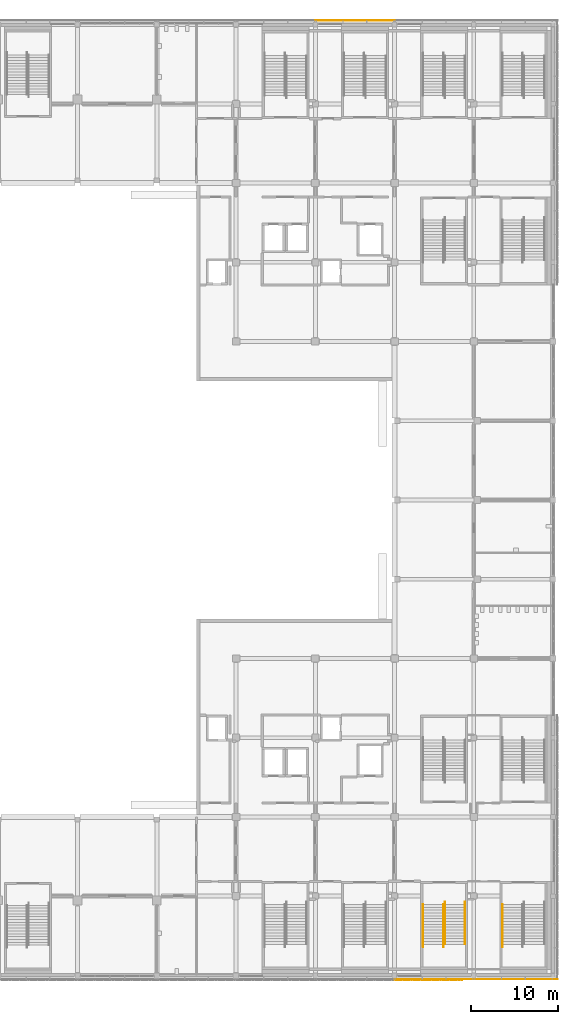
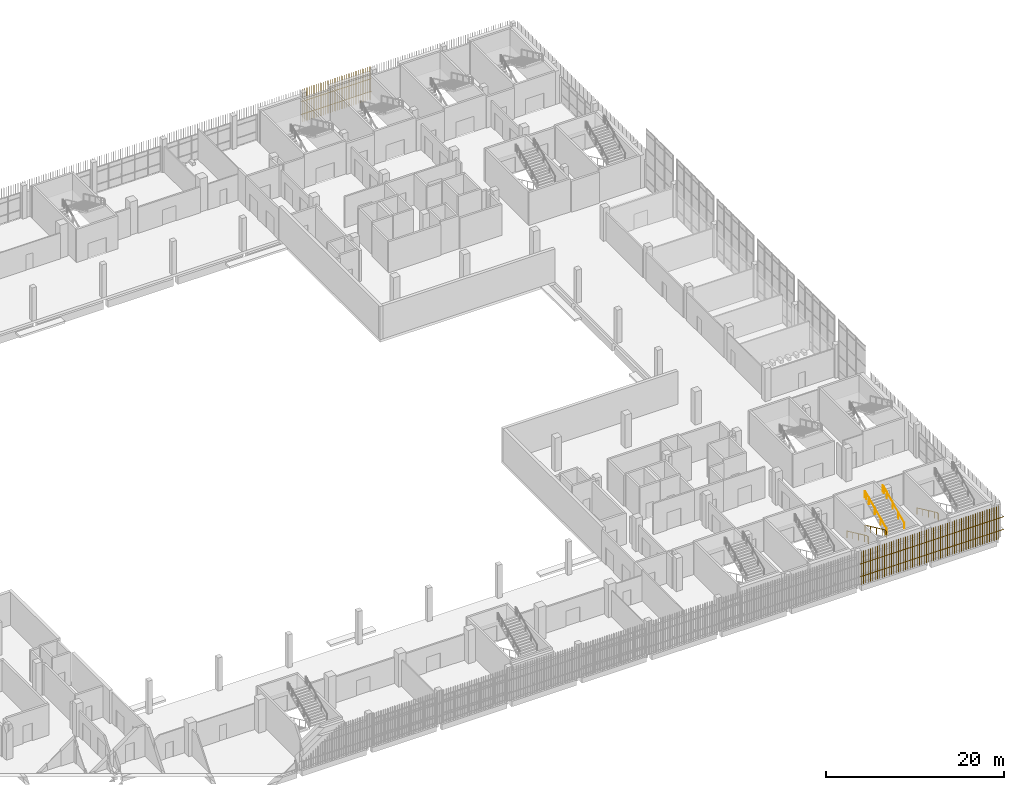
# One storey, part 120 of 126: 5 railings, 3 shading devices.
"""IFC4 building model written with IfcOpenShell, lengths in metres."""

from ifc_helpers import new_model, si_unit, direction, frame, origin, origin_2d, place, context, subcontext, project, spatial, rectangle, circle, extrude, material, type_object, element, save


model = new_model("IFC4")

# Units and contexts
model_context = context("Model", 3, precision=1e-05, world=origin(), true_north=direction((0.0, 1.0)))
body_context = subcontext(model_context, "Body", "Model", "MODEL_VIEW")
ifc_project = project(units=[si_unit("LENGTHUNIT", "METRE"), si_unit("AREAUNIT", "SQUARE_METRE"), si_unit("VOLUMEUNIT", "CUBIC_METRE"), si_unit("PLANEANGLEUNIT", "RADIAN"), si_unit("MASSUNIT", "GRAM", prefix="KILO")], contexts=[model_context])

# Site, building, storey
site_placement = place(None, origin())
site = spatial("IfcSite", under=ifc_project, at=site_placement, CompositionType="ELEMENT")
building_placement = place(site_placement, origin())
building = spatial("IfcBuilding", under=site, at=building_placement, Name="Shirokan Park Arena", CompositionType="ELEMENT")
storey_placement = place(building_placement, frame((0.0, 0.0, 6.3701171875)))
storey = spatial("IfcBuildingStorey", under=building, at=storey_placement, Name="L01", CompositionType="ELEMENT", Elevation=6.3701171875)

# Railings
ifc_material_1 = material(Name="Stainless steel", Category="steel")
railing_type = type_object("IfcRailingType", Name="Stair handrail 900", PredefinedType="HANDRAIL", material=ifc_material_1)
railing_1_placement = place(storey_placement, frame((139.7900390625, 8.14990234375, 0.151611328125)))
element("IfcRailing", 1, at=railing_1_placement, inside=storey, type_object=railing_type, Name="Handrail Exit Stair 2.A L01 to L02", PredefinedType="HANDRAIL", context=body_context, shape_type="SweptSolid", body=[
    extrude(circle(Radius=0.02392578125, at=origin_2d()), frame((0.0, 0.0, 0.8759765625), z_axis=(0.0, -0.906999720516, 0.421131222998), x_axis=(1.0, 0.0, 0.0)), (0.0, 0.0, 1.0), 1.440673828125),
    extrude(circle(Radius=0.02392578125, at=origin_2d()), frame((0.0, -1.306640625, 1.482421875), z_axis=(0.0, -0.907029769225, 0.421066500378), x_axis=(1.0, 0.0, 0.0)), (0.0, 0.0, 1.0), 1.44091796875),
    extrude(circle(Radius=0.02392578125, at=origin_2d()), frame((0.0, -2.613525390625, 2.08935546875), z_axis=(0.0, -0.907094476872, 0.420927083981), x_axis=(1.0, 0.0, 0.0)), (0.0, 0.0, 1.0), 1.440673828125),
    extrude(circle(Radius=0.02392578125, at=origin_2d()), frame((0.0, -3.92041015625, 2.69580078125), z_axis=(0.0, -0.906934982928, 0.421270621741), x_axis=(1.0, 0.0, 0.0)), (0.0, 0.0, 1.0), 0.720458984375),
    extrude(circle(Radius=0.02392578125, at=origin_2d()), frame((0.0, -4.57373046875, 2.9990234375), z_axis=(0.0, -1.0, 0.0), x_axis=(1.0, 0.0, 0.0)), (0.0, 0.0, 1.0), 0.300048828125),
    extrude(circle(Radius=0.02099609375, at=origin_2d()), origin(), (0.0, 0.0, 1.0), 0.851806640625),
    extrude(circle(Radius=0.02099609375, at=origin_2d()), frame((0.0, -1.306640625, 0.606689453125)), (0.0, 0.0, 1.0), 0.851806640625),
    extrude(circle(Radius=0.02099609375, at=origin_2d()), frame((0.0, -2.613525390625, 1.21337890625)), (0.0, 0.0, 1.0), 0.851806640625),
    extrude(circle(Radius=0.02099609375, at=origin_2d()), frame((0.0, -3.92041015625, 1.81982421875)), (0.0, 0.0, 1.0), 0.851806640625),
    extrude(circle(Radius=0.02099609375, at=origin_2d()), frame((0.0, -4.57373046875, 2.123291015625)), (0.0, 0.0, 1.0), 0.851806640625),
    extrude(circle(Radius=0.02099609375, at=origin_2d()), frame((0.0, -4.873779296875, 2.123291015625)), (0.0, 0.0, 1.0), 0.851806640625),
])
railing_2_placement = place(storey_placement, frame((130.68994140625, 8.14990234375, 0.151611328125)))
element("IfcRailing", 2, at=railing_2_placement, inside=storey, type_object=railing_type, Name="Handrail Exit Stair 2.B L01 to L02", PredefinedType="HANDRAIL", context=body_context, shape_type="SweptSolid", body=[
    extrude(circle(Radius=0.02392578125, at=origin_2d()), frame((0.0, 0.0, 0.8759765625), z_axis=(0.0, -0.906999720516, 0.421131222998), x_axis=(1.0, 0.0, 0.0)), (0.0, 0.0, 1.0), 1.440673828125),
    extrude(circle(Radius=0.02392578125, at=origin_2d()), frame((0.0, -1.306640625, 1.482421875), z_axis=(0.0, -0.907029769225, 0.421066500378), x_axis=(1.0, 0.0, 0.0)), (0.0, 0.0, 1.0), 1.44091796875),
    extrude(circle(Radius=0.02392578125, at=origin_2d()), frame((0.0, -2.613525390625, 2.08935546875), z_axis=(0.0, -0.907094476872, 0.420927083981), x_axis=(1.0, 0.0, 0.0)), (0.0, 0.0, 1.0), 1.440673828125),
    extrude(circle(Radius=0.02392578125, at=origin_2d()), frame((0.0, -3.92041015625, 2.69580078125), z_axis=(0.0, -0.906934982928, 0.421270621741), x_axis=(1.0, 0.0, 0.0)), (0.0, 0.0, 1.0), 0.720458984375),
    extrude(circle(Radius=0.02392578125, at=origin_2d()), frame((0.0, -4.57373046875, 2.9990234375), z_axis=(0.0, -1.0, 0.0), x_axis=(1.0, 0.0, 0.0)), (0.0, 0.0, 1.0), 0.300048828125),
    extrude(circle(Radius=0.02099609375, at=origin_2d()), origin(), (0.0, 0.0, 1.0), 0.851806640625),
    extrude(circle(Radius=0.02099609375, at=origin_2d()), frame((0.0, -1.306640625, 0.606689453125)), (0.0, 0.0, 1.0), 0.851806640625),
    extrude(circle(Radius=0.02099609375, at=origin_2d()), frame((0.0, -2.613525390625, 1.21337890625)), (0.0, 0.0, 1.0), 0.851806640625),
    extrude(circle(Radius=0.02099609375, at=origin_2d()), frame((0.0, -3.92041015625, 1.81982421875)), (0.0, 0.0, 1.0), 0.851806640625),
    extrude(circle(Radius=0.02099609375, at=origin_2d()), frame((0.0, -4.57373046875, 2.123291015625)), (0.0, 0.0, 1.0), 0.851806640625),
    extrude(circle(Radius=0.02099609375, at=origin_2d()), frame((0.0, -4.873779296875, 2.123291015625)), (0.0, 0.0, 1.0), 0.851806640625),
])
railing_3_placement = place(storey_placement, frame((133.010009765625, 8.14990234375, 0.151611328125)))
element("IfcRailing", 3, at=railing_3_placement, inside=storey, type_object=railing_type, Name="Handrail Exit Stair 2.B L01 to L02", PredefinedType="HANDRAIL", context=body_context, shape_type="SweptSolid", body=[
    extrude(circle(Radius=0.02392578125, at=origin_2d()), frame((0.0, 0.0, 0.8759765625), z_axis=(0.0, -0.906999720516, 0.421131222998), x_axis=(1.0, 0.0, 0.0)), (0.0, 0.0, 1.0), 1.440673828125),
    extrude(circle(Radius=0.02392578125, at=origin_2d()), frame((0.0, -1.306640625, 1.482421875), z_axis=(0.0, -0.907029769225, 0.421066500378), x_axis=(1.0, 0.0, 0.0)), (0.0, 0.0, 1.0), 1.44091796875),
    extrude(circle(Radius=0.02392578125, at=origin_2d()), frame((0.0, -2.613525390625, 2.08935546875), z_axis=(0.0, -0.907094476872, 0.420927083981), x_axis=(1.0, 0.0, 0.0)), (0.0, 0.0, 1.0), 1.440673828125),
    extrude(circle(Radius=0.02392578125, at=origin_2d()), frame((0.0, -3.92041015625, 2.69580078125), z_axis=(0.0, -0.906934982928, 0.421270621741), x_axis=(1.0, 0.0, 0.0)), (0.0, 0.0, 1.0), 0.720458984375),
    extrude(circle(Radius=0.02392578125, at=origin_2d()), frame((0.0, -4.57373046875, 2.9990234375), z_axis=(0.0, -1.0, 0.0), x_axis=(1.0, 0.0, 0.0)), (0.0, 0.0, 1.0), 0.300048828125),
    extrude(circle(Radius=0.02099609375, at=origin_2d()), origin(), (0.0, 0.0, 1.0), 0.851806640625),
    extrude(circle(Radius=0.02099609375, at=origin_2d()), frame((0.0, -1.306640625, 0.606689453125)), (0.0, 0.0, 1.0), 0.851806640625),
    extrude(circle(Radius=0.02099609375, at=origin_2d()), frame((0.0, -2.613525390625, 1.21337890625)), (0.0, 0.0, 1.0), 0.851806640625),
    extrude(circle(Radius=0.02099609375, at=origin_2d()), frame((0.0, -3.92041015625, 1.81982421875)), (0.0, 0.0, 1.0), 0.851806640625),
    extrude(circle(Radius=0.02099609375, at=origin_2d()), frame((0.0, -4.57373046875, 2.123291015625)), (0.0, 0.0, 1.0), 0.851806640625),
    extrude(circle(Radius=0.02099609375, at=origin_2d()), frame((0.0, -4.873779296875, 2.123291015625)), (0.0, 0.0, 1.0), 0.851806640625),
])
railing_4_placement = place(storey_placement, frame((133.18994140625, 3.576171875, 2.426513671875)))
element("IfcRailing", 4, at=railing_4_placement, inside=storey, type_object=railing_type, Name="Handrail Exit Stair 2.B L01 to L02", PredefinedType="HANDRAIL", context=body_context, shape_type="SweptSolid", body=[
    extrude(circle(Radius=0.02392578125, at=origin_2d()), frame((0.0, 0.0, 0.8759765625), z_axis=(0.0, 0.907029769225, 0.421066500378), x_axis=(-1.0, 0.0, 0.0)), (0.0, 0.0, 1.0), 1.44091796875),
    extrude(circle(Radius=0.02392578125, at=origin_2d()), frame((0.0, 1.306884765625, 1.482421875), z_axis=(0.0, 0.906999720516, 0.421131222998), x_axis=(-1.0, 0.0, 0.0)), (0.0, 0.0, 1.0), 1.440673828125),
    extrude(circle(Radius=0.02392578125, at=origin_2d()), frame((0.0, 2.613525390625, 2.08935546875), z_axis=(0.0, 0.907029769225, 0.421066500378), x_axis=(-1.0, 0.0, 0.0)), (0.0, 0.0, 1.0), 1.44091796875),
    extrude(circle(Radius=0.02392578125, at=origin_2d()), frame((0.0, 3.92041015625, 2.69580078125), z_axis=(0.0, 0.907064445915, 0.420991794405), x_axis=(-1.0, 0.0, 0.0)), (0.0, 0.0, 1.0), 0.72021484375),
    extrude(circle(Radius=0.02392578125, at=origin_2d()), frame((0.0, 4.57373046875, 2.9990234375), z_axis=(0.0, 1.0, 0.0), x_axis=(-1.0, 0.0, 0.0)), (0.0, 0.0, 1.0), 0.300048828125),
    extrude(circle(Radius=0.02099609375, at=origin_2d()), origin(), (0.0, 0.0, 1.0), 0.851806640625),
    extrude(circle(Radius=0.02099609375, at=origin_2d()), frame((0.0, 1.306884765625, 0.606689453125)), (0.0, 0.0, 1.0), 0.851806640625),
    extrude(circle(Radius=0.02099609375, at=origin_2d()), frame((0.0, 2.613525390625, 1.21337890625)), (0.0, 0.0, 1.0), 0.851806640625),
    extrude(circle(Radius=0.02099609375, at=origin_2d()), frame((0.0, 3.92041015625, 1.820068359375)), (0.0, 0.0, 1.0), 0.851806640625),
    extrude(circle(Radius=0.02099609375, at=origin_2d()), frame((0.0, 4.57373046875, 2.123291015625)), (0.0, 0.0, 1.0), 0.851806640625),
    extrude(circle(Radius=0.02099609375, at=origin_2d()), frame((0.0, 4.873779296875, 2.123291015625)), (0.0, 0.0, 1.0), 0.851806640625),
])
railing_5_placement = place(storey_placement, frame((135.510009765625, 3.576171875, 2.426513671875)))
element("IfcRailing", 5, at=railing_5_placement, inside=storey, type_object=railing_type, Name="Handrail Exit Stair 2.B L01 to L02", PredefinedType="HANDRAIL", context=body_context, shape_type="SweptSolid", body=[
    extrude(circle(Radius=0.02392578125, at=origin_2d()), frame((0.0, 0.0, 0.8759765625), z_axis=(0.0, 0.907029769225, 0.421066500378), x_axis=(-1.0, 0.0, 0.0)), (0.0, 0.0, 1.0), 1.44091796875),
    extrude(circle(Radius=0.02392578125, at=origin_2d()), frame((0.0, 1.306884765625, 1.482421875), z_axis=(0.0, 0.906999720516, 0.421131222998), x_axis=(-1.0, 0.0, 0.0)), (0.0, 0.0, 1.0), 1.440673828125),
    extrude(circle(Radius=0.02392578125, at=origin_2d()), frame((0.0, 2.613525390625, 2.08935546875), z_axis=(0.0, 0.907029769225, 0.421066500378), x_axis=(-1.0, 0.0, 0.0)), (0.0, 0.0, 1.0), 1.44091796875),
    extrude(circle(Radius=0.02392578125, at=origin_2d()), frame((0.0, 3.92041015625, 2.69580078125), z_axis=(0.0, 0.907064445915, 0.420991794405), x_axis=(-1.0, 0.0, 0.0)), (0.0, 0.0, 1.0), 0.72021484375),
    extrude(circle(Radius=0.02392578125, at=origin_2d()), frame((0.0, 4.57373046875, 2.9990234375), z_axis=(0.0, 1.0, 0.0), x_axis=(-1.0, 0.0, 0.0)), (0.0, 0.0, 1.0), 0.300048828125),
    extrude(circle(Radius=0.02099609375, at=origin_2d()), origin(), (0.0, 0.0, 1.0), 0.851806640625),
    extrude(circle(Radius=0.02099609375, at=origin_2d()), frame((0.0, 1.306884765625, 0.606689453125)), (0.0, 0.0, 1.0), 0.851806640625),
    extrude(circle(Radius=0.02099609375, at=origin_2d()), frame((0.0, 2.613525390625, 1.21337890625)), (0.0, 0.0, 1.0), 0.851806640625),
    extrude(circle(Radius=0.02099609375, at=origin_2d()), frame((0.0, 3.92041015625, 1.820068359375)), (0.0, 0.0, 1.0), 0.851806640625),
    extrude(circle(Radius=0.02099609375, at=origin_2d()), frame((0.0, 4.57373046875, 2.123291015625)), (0.0, 0.0, 1.0), 0.851806640625),
    extrude(circle(Radius=0.02099609375, at=origin_2d()), frame((0.0, 4.873779296875, 2.123291015625)), (0.0, 0.0, 1.0), 0.851806640625),
])

# Shading devices
ifc_material_2 = material(Name="Timber louvre veil (cedar)", Category="wood")
shading_device_type = type_object("IfcShadingDeviceType", Name="Timber louvre veil panel", PredefinedType="JALOUSIE", material=ifc_material_2)
shading_device_1_placement = place(storey_placement, origin())
element("IfcShadingDevice", 6, at=shading_device_1_placement, inside=storey, type_object=shading_device_type, Name="Timber louvre veil south bay 15 L01", PredefinedType="JALOUSIE", context=body_context, shape_type="SweptSolid", body=[
    extrude(rectangle(XDim=0.050048828125, YDim=0.080078125, at=origin_2d()), frame((127.5517578125, -0.485107421875, 0.0), z_axis=(0.0, 0.0, 1.0), x_axis=(1.0, 0.0, 0.0)), (0.0, 0.0, 1.0), 4.550048828125),
    extrude(rectangle(XDim=0.050048828125, YDim=0.080078125, at=origin_2d()), frame((127.85498046875, -0.485107421875, 0.0), z_axis=(0.0, 0.0, 1.0), x_axis=(1.0, 0.0, 0.0)), (0.0, 0.0, 1.0), 4.550048828125),
    extrude(rectangle(XDim=0.050048828125, YDim=0.080078125, at=origin_2d()), frame((128.158447265625, -0.485107421875, 0.0), z_axis=(0.0, 0.0, 1.0), x_axis=(1.0, 0.0, 0.0)), (0.0, 0.0, 1.0), 4.550048828125),
    extrude(rectangle(XDim=0.050048828125, YDim=0.080078125, at=origin_2d()), frame((128.461669921875, -0.485107421875, 0.0), z_axis=(0.0, 0.0, 1.0), x_axis=(1.0, 0.0, 0.0)), (0.0, 0.0, 1.0), 4.550048828125),
    extrude(rectangle(XDim=0.050048828125, YDim=0.080078125, at=origin_2d()), frame((128.764892578125, -0.485107421875, 0.0), z_axis=(0.0, 0.0, 1.0), x_axis=(1.0, 0.0, 0.0)), (0.0, 0.0, 1.0), 4.550048828125),
    extrude(rectangle(XDim=0.050048828125, YDim=0.080078125, at=origin_2d()), frame((129.068359375, -0.485107421875, 0.0), z_axis=(0.0, 0.0, 1.0), x_axis=(1.0, 0.0, 0.0)), (0.0, 0.0, 1.0), 4.550048828125),
    extrude(rectangle(XDim=0.050048828125, YDim=0.080078125, at=origin_2d()), frame((129.37158203125, -0.485107421875, 0.0), z_axis=(0.0, 0.0, 1.0), x_axis=(1.0, 0.0, 0.0)), (0.0, 0.0, 1.0), 4.550048828125),
    extrude(rectangle(XDim=0.050048828125, YDim=0.080078125, at=origin_2d()), frame((129.675048828125, -0.485107421875, 0.0), z_axis=(0.0, 0.0, 1.0), x_axis=(1.0, 0.0, 0.0)), (0.0, 0.0, 1.0), 4.550048828125),
    extrude(rectangle(XDim=0.050048828125, YDim=0.080078125, at=origin_2d()), frame((129.978271484375, -0.485107421875, 0.0), z_axis=(0.0, 0.0, 1.0), x_axis=(1.0, 0.0, 0.0)), (0.0, 0.0, 1.0), 4.550048828125),
    extrude(rectangle(XDim=0.050048828125, YDim=0.080078125, at=origin_2d()), frame((130.28173828125, -0.485107421875, 0.0), z_axis=(0.0, 0.0, 1.0), x_axis=(1.0, 0.0, 0.0)), (0.0, 0.0, 1.0), 4.550048828125),
    extrude(rectangle(XDim=0.050048828125, YDim=0.080078125, at=origin_2d()), frame((130.5849609375, -0.485107421875, 0.0), z_axis=(0.0, 0.0, 1.0), x_axis=(1.0, 0.0, 0.0)), (0.0, 0.0, 1.0), 4.550048828125),
    extrude(rectangle(XDim=0.050048828125, YDim=0.080078125, at=origin_2d()), frame((130.888427734375, -0.485107421875, 0.0), z_axis=(0.0, 0.0, 1.0), x_axis=(1.0, 0.0, 0.0)), (0.0, 0.0, 1.0), 4.550048828125),
    extrude(rectangle(XDim=0.050048828125, YDim=0.080078125, at=origin_2d()), frame((131.191650390625, -0.485107421875, 0.0), z_axis=(0.0, 0.0, 1.0), x_axis=(1.0, 0.0, 0.0)), (0.0, 0.0, 1.0), 4.550048828125),
    extrude(rectangle(XDim=0.050048828125, YDim=0.080078125, at=origin_2d()), frame((131.4951171875, -0.485107421875, 0.0), z_axis=(0.0, 0.0, 1.0), x_axis=(1.0, 0.0, 0.0)), (0.0, 0.0, 1.0), 4.550048828125),
    extrude(rectangle(XDim=0.050048828125, YDim=0.080078125, at=origin_2d()), frame((131.79833984375, -0.485107421875, 0.0), z_axis=(0.0, 0.0, 1.0), x_axis=(1.0, 0.0, 0.0)), (0.0, 0.0, 1.0), 4.550048828125),
    extrude(rectangle(XDim=0.050048828125, YDim=0.080078125, at=origin_2d()), frame((132.1015625, -0.485107421875, 0.0), z_axis=(0.0, 0.0, 1.0), x_axis=(1.0, 0.0, 0.0)), (0.0, 0.0, 1.0), 4.550048828125),
    extrude(rectangle(XDim=0.050048828125, YDim=0.080078125, at=origin_2d()), frame((132.405029296875, -0.485107421875, 0.0), z_axis=(0.0, 0.0, 1.0), x_axis=(1.0, 0.0, 0.0)), (0.0, 0.0, 1.0), 4.550048828125),
    extrude(rectangle(XDim=0.050048828125, YDim=0.080078125, at=origin_2d()), frame((132.708251953125, -0.485107421875, 0.0), z_axis=(0.0, 0.0, 1.0), x_axis=(1.0, 0.0, 0.0)), (0.0, 0.0, 1.0), 4.550048828125),
    extrude(rectangle(XDim=0.050048828125, YDim=0.080078125, at=origin_2d()), frame((133.01171875, -0.485107421875, 0.0), z_axis=(0.0, 0.0, 1.0), x_axis=(1.0, 0.0, 0.0)), (0.0, 0.0, 1.0), 4.550048828125),
    extrude(rectangle(XDim=0.050048828125, YDim=0.080078125, at=origin_2d()), frame((133.31494140625, -0.485107421875, 0.0), z_axis=(0.0, 0.0, 1.0), x_axis=(1.0, 0.0, 0.0)), (0.0, 0.0, 1.0), 4.550048828125),
    extrude(rectangle(XDim=0.050048828125, YDim=0.080078125, at=origin_2d()), frame((133.618408203125, -0.485107421875, 0.0), z_axis=(0.0, 0.0, 1.0), x_axis=(1.0, 0.0, 0.0)), (0.0, 0.0, 1.0), 4.550048828125),
    extrude(rectangle(XDim=0.050048828125, YDim=0.080078125, at=origin_2d()), frame((133.921630859375, -0.485107421875, 0.0), z_axis=(0.0, 0.0, 1.0), x_axis=(1.0, 0.0, 0.0)), (0.0, 0.0, 1.0), 4.550048828125),
    extrude(rectangle(XDim=0.050048828125, YDim=0.080078125, at=origin_2d()), frame((134.22509765625, -0.485107421875, 0.0), z_axis=(0.0, 0.0, 1.0), x_axis=(1.0, 0.0, 0.0)), (0.0, 0.0, 1.0), 4.550048828125),
    extrude(rectangle(XDim=0.050048828125, YDim=0.080078125, at=origin_2d()), frame((134.5283203125, -0.485107421875, 0.0), z_axis=(0.0, 0.0, 1.0), x_axis=(1.0, 0.0, 0.0)), (0.0, 0.0, 1.0), 4.550048828125),
    extrude(rectangle(XDim=0.050048828125, YDim=0.080078125, at=origin_2d()), frame((134.831787109375, -0.485107421875, 0.0), z_axis=(0.0, 0.0, 1.0), x_axis=(1.0, 0.0, 0.0)), (0.0, 0.0, 1.0), 4.550048828125),
    extrude(rectangle(XDim=0.050048828125, YDim=0.080078125, at=origin_2d()), frame((135.135009765625, -0.485107421875, 0.0), z_axis=(0.0, 0.0, 1.0), x_axis=(1.0, 0.0, 0.0)), (0.0, 0.0, 1.0), 4.550048828125),
    extrude(rectangle(XDim=0.050048828125, YDim=0.080078125, at=origin_2d()), frame((135.438232421875, -0.485107421875, 0.0), z_axis=(0.0, 0.0, 1.0), x_axis=(1.0, 0.0, 0.0)), (0.0, 0.0, 1.0), 4.550048828125),
    extrude(rectangle(XDim=0.050048828125, YDim=0.080078125, at=origin_2d()), frame((135.74169921875, -0.485107421875, 0.0), z_axis=(0.0, 0.0, 1.0), x_axis=(1.0, 0.0, 0.0)), (0.0, 0.0, 1.0), 4.550048828125),
    extrude(rectangle(XDim=0.050048828125, YDim=0.080078125, at=origin_2d()), frame((136.044921875, -0.485107421875, 0.0), z_axis=(0.0, 0.0, 1.0), x_axis=(1.0, 0.0, 0.0)), (0.0, 0.0, 1.0), 4.550048828125),
    extrude(rectangle(XDim=0.050048828125, YDim=0.080078125, at=origin_2d()), frame((136.348388671875, -0.485107421875, 0.0), z_axis=(0.0, 0.0, 1.0), x_axis=(1.0, 0.0, 0.0)), (0.0, 0.0, 1.0), 4.550048828125),
    extrude(rectangle(XDim=9.10009765625, YDim=0.050048828125, at=origin_2d()), frame((131.949951171875, -0.469970703125, 1.059814453125), z_axis=(0.0, 0.0, 1.0), x_axis=(1.0, 0.0, 0.0)), (0.0, 0.0, 1.0), 0.080078125),
    extrude(rectangle(XDim=9.10009765625, YDim=0.050048828125, at=origin_2d()), frame((131.949951171875, -0.469970703125, 2.809814453125), z_axis=(0.0, 0.0, 1.0), x_axis=(1.0, 0.0, 0.0)), (0.0, 0.0, 1.0), 0.080078125),
])
shading_device_2_placement = place(storey_placement, origin())
element("IfcShadingDevice", 7, at=shading_device_2_placement, inside=storey, type_object=shading_device_type, Name="Timber louvre veil south bay 16 L01", PredefinedType="JALOUSIE", context=body_context, shape_type="SweptSolid", body=[
    extrude(rectangle(XDim=0.050048828125, YDim=0.080078125, at=origin_2d()), frame((136.651611328125, -0.485107421875, 0.0), z_axis=(0.0, 0.0, 1.0), x_axis=(1.0, 0.0, 0.0)), (0.0, 0.0, 1.0), 4.550048828125),
    extrude(rectangle(XDim=0.050048828125, YDim=0.080078125, at=origin_2d()), frame((136.955078125, -0.485107421875, 0.0), z_axis=(0.0, 0.0, 1.0), x_axis=(1.0, 0.0, 0.0)), (0.0, 0.0, 1.0), 4.550048828125),
    extrude(rectangle(XDim=0.050048828125, YDim=0.080078125, at=origin_2d()), frame((137.25830078125, -0.485107421875, 0.0), z_axis=(0.0, 0.0, 1.0), x_axis=(1.0, 0.0, 0.0)), (0.0, 0.0, 1.0), 4.550048828125),
    extrude(rectangle(XDim=0.050048828125, YDim=0.080078125, at=origin_2d()), frame((137.561767578125, -0.485107421875, 0.0), z_axis=(0.0, 0.0, 1.0), x_axis=(1.0, 0.0, 0.0)), (0.0, 0.0, 1.0), 4.550048828125),
    extrude(rectangle(XDim=0.050048828125, YDim=0.080078125, at=origin_2d()), frame((137.864990234375, -0.485107421875, 0.0), z_axis=(0.0, 0.0, 1.0), x_axis=(1.0, 0.0, 0.0)), (0.0, 0.0, 1.0), 4.550048828125),
    extrude(rectangle(XDim=0.050048828125, YDim=0.080078125, at=origin_2d()), frame((138.168212890625, -0.485107421875, 0.0), z_axis=(0.0, 0.0, 1.0), x_axis=(1.0, 0.0, 0.0)), (0.0, 0.0, 1.0), 4.550048828125),
    extrude(rectangle(XDim=0.050048828125, YDim=0.080078125, at=origin_2d()), frame((138.4716796875, -0.485107421875, 0.0), z_axis=(0.0, 0.0, 1.0), x_axis=(1.0, 0.0, 0.0)), (0.0, 0.0, 1.0), 4.550048828125),
    extrude(rectangle(XDim=0.050048828125, YDim=0.080078125, at=origin_2d()), frame((138.77490234375, -0.485107421875, 0.0), z_axis=(0.0, 0.0, 1.0), x_axis=(1.0, 0.0, 0.0)), (0.0, 0.0, 1.0), 4.550048828125),
    extrude(rectangle(XDim=0.050048828125, YDim=0.080078125, at=origin_2d()), frame((139.078369140625, -0.485107421875, 0.0), z_axis=(0.0, 0.0, 1.0), x_axis=(1.0, 0.0, 0.0)), (0.0, 0.0, 1.0), 4.550048828125),
    extrude(rectangle(XDim=0.050048828125, YDim=0.080078125, at=origin_2d()), frame((139.381591796875, -0.485107421875, 0.0), z_axis=(0.0, 0.0, 1.0), x_axis=(1.0, 0.0, 0.0)), (0.0, 0.0, 1.0), 4.550048828125),
    extrude(rectangle(XDim=0.050048828125, YDim=0.080078125, at=origin_2d()), frame((139.68505859375, -0.485107421875, 0.0), z_axis=(0.0, 0.0, 1.0), x_axis=(1.0, 0.0, 0.0)), (0.0, 0.0, 1.0), 4.550048828125),
    extrude(rectangle(XDim=0.050048828125, YDim=0.080078125, at=origin_2d()), frame((139.98828125, -0.485107421875, 0.0), z_axis=(0.0, 0.0, 1.0), x_axis=(1.0, 0.0, 0.0)), (0.0, 0.0, 1.0), 4.550048828125),
    extrude(rectangle(XDim=0.050048828125, YDim=0.080078125, at=origin_2d()), frame((140.291748046875, -0.485107421875, 0.0), z_axis=(0.0, 0.0, 1.0), x_axis=(1.0, 0.0, 0.0)), (0.0, 0.0, 1.0), 4.550048828125),
    extrude(rectangle(XDim=0.050048828125, YDim=0.080078125, at=origin_2d()), frame((140.594970703125, -0.485107421875, 0.0), z_axis=(0.0, 0.0, 1.0), x_axis=(1.0, 0.0, 0.0)), (0.0, 0.0, 1.0), 4.550048828125),
    extrude(rectangle(XDim=0.050048828125, YDim=0.080078125, at=origin_2d()), frame((140.8984375, -0.485107421875, 0.0), z_axis=(0.0, 0.0, 1.0), x_axis=(1.0, 0.0, 0.0)), (0.0, 0.0, 1.0), 4.550048828125),
    extrude(rectangle(XDim=0.050048828125, YDim=0.080078125, at=origin_2d()), frame((141.20166015625, -0.485107421875, 0.0), z_axis=(0.0, 0.0, 1.0), x_axis=(1.0, 0.0, 0.0)), (0.0, 0.0, 1.0), 4.550048828125),
    extrude(rectangle(XDim=0.050048828125, YDim=0.080078125, at=origin_2d()), frame((141.5048828125, -0.485107421875, 0.0), z_axis=(0.0, 0.0, 1.0), x_axis=(1.0, 0.0, 0.0)), (0.0, 0.0, 1.0), 4.550048828125),
    extrude(rectangle(XDim=0.050048828125, YDim=0.080078125, at=origin_2d()), frame((141.808349609375, -0.485107421875, 0.0), z_axis=(0.0, 0.0, 1.0), x_axis=(1.0, 0.0, 0.0)), (0.0, 0.0, 1.0), 4.550048828125),
    extrude(rectangle(XDim=0.050048828125, YDim=0.080078125, at=origin_2d()), frame((142.111572265625, -0.485107421875, 0.0), z_axis=(0.0, 0.0, 1.0), x_axis=(1.0, 0.0, 0.0)), (0.0, 0.0, 1.0), 4.550048828125),
    extrude(rectangle(XDim=0.050048828125, YDim=0.080078125, at=origin_2d()), frame((142.4150390625, -0.485107421875, 0.0), z_axis=(0.0, 0.0, 1.0), x_axis=(1.0, 0.0, 0.0)), (0.0, 0.0, 1.0), 4.550048828125),
    extrude(rectangle(XDim=0.050048828125, YDim=0.080078125, at=origin_2d()), frame((142.71826171875, -0.485107421875, 0.0), z_axis=(0.0, 0.0, 1.0), x_axis=(1.0, 0.0, 0.0)), (0.0, 0.0, 1.0), 4.550048828125),
    extrude(rectangle(XDim=0.050048828125, YDim=0.080078125, at=origin_2d()), frame((143.021728515625, -0.485107421875, 0.0), z_axis=(0.0, 0.0, 1.0), x_axis=(1.0, 0.0, 0.0)), (0.0, 0.0, 1.0), 4.550048828125),
    extrude(rectangle(XDim=0.050048828125, YDim=0.080078125, at=origin_2d()), frame((143.324951171875, -0.485107421875, 0.0), z_axis=(0.0, 0.0, 1.0), x_axis=(1.0, 0.0, 0.0)), (0.0, 0.0, 1.0), 4.550048828125),
    extrude(rectangle(XDim=0.050048828125, YDim=0.080078125, at=origin_2d()), frame((143.62841796875, -0.485107421875, 0.0), z_axis=(0.0, 0.0, 1.0), x_axis=(1.0, 0.0, 0.0)), (0.0, 0.0, 1.0), 4.550048828125),
    extrude(rectangle(XDim=0.050048828125, YDim=0.080078125, at=origin_2d()), frame((143.931640625, -0.485107421875, 0.0), z_axis=(0.0, 0.0, 1.0), x_axis=(1.0, 0.0, 0.0)), (0.0, 0.0, 1.0), 4.550048828125),
    extrude(rectangle(XDim=0.050048828125, YDim=0.080078125, at=origin_2d()), frame((144.235107421875, -0.485107421875, 0.0), z_axis=(0.0, 0.0, 1.0), x_axis=(1.0, 0.0, 0.0)), (0.0, 0.0, 1.0), 4.550048828125),
    extrude(rectangle(XDim=0.050048828125, YDim=0.080078125, at=origin_2d()), frame((144.538330078125, -0.485107421875, 0.0), z_axis=(0.0, 0.0, 1.0), x_axis=(1.0, 0.0, 0.0)), (0.0, 0.0, 1.0), 4.550048828125),
    extrude(rectangle(XDim=0.050048828125, YDim=0.080078125, at=origin_2d()), frame((144.841552734375, -0.485107421875, 0.0), z_axis=(0.0, 0.0, 1.0), x_axis=(1.0, 0.0, 0.0)), (0.0, 0.0, 1.0), 4.550048828125),
    extrude(rectangle(XDim=0.050048828125, YDim=0.080078125, at=origin_2d()), frame((145.14501953125, -0.485107421875, 0.0), z_axis=(0.0, 0.0, 1.0), x_axis=(1.0, 0.0, 0.0)), (0.0, 0.0, 1.0), 4.550048828125),
    extrude(rectangle(XDim=0.050048828125, YDim=0.080078125, at=origin_2d()), frame((145.4482421875, -0.485107421875, 0.0), z_axis=(0.0, 0.0, 1.0), x_axis=(1.0, 0.0, 0.0)), (0.0, 0.0, 1.0), 4.550048828125),
    extrude(rectangle(XDim=9.625, YDim=0.050048828125, at=origin_2d()), frame((141.3125, -0.469970703125, 1.059814453125), z_axis=(0.0, 0.0, 1.0), x_axis=(1.0, 0.0, 0.0)), (0.0, 0.0, 1.0), 0.080078125),
    extrude(rectangle(XDim=9.625, YDim=0.050048828125, at=origin_2d()), frame((141.3125, -0.469970703125, 2.809814453125), z_axis=(0.0, 0.0, 1.0), x_axis=(1.0, 0.0, 0.0)), (0.0, 0.0, 1.0), 0.080078125),
])
shading_device_3_placement = place(storey_placement, origin())
element("IfcShadingDevice", 8, at=shading_device_3_placement, inside=storey, type_object=shading_device_type, Name="Timber louvre veil north bay 3 L01", PredefinedType="JALOUSIE", context=body_context, shape_type="SweptSolid", body=[
    extrude(rectangle(XDim=0.050048828125, YDim=0.080078125, at=origin_2d()), frame((127.248291015625, 109.68505859375, 0.0), z_axis=(0.0, 0.0, 1.0), x_axis=(-1.0, 0.0, 0.0)), (0.0, 0.0, 1.0), 4.550048828125),
    extrude(rectangle(XDim=0.050048828125, YDim=0.080078125, at=origin_2d()), frame((126.945068359375, 109.68505859375, 0.0), z_axis=(0.0, 0.0, 1.0), x_axis=(-1.0, 0.0, 0.0)), (0.0, 0.0, 1.0), 4.550048828125),
    extrude(rectangle(XDim=0.050048828125, YDim=0.080078125, at=origin_2d()), frame((126.6416015625, 109.68505859375, 0.0), z_axis=(0.0, 0.0, 1.0), x_axis=(-1.0, 0.0, 0.0)), (0.0, 0.0, 1.0), 4.550048828125),
    extrude(rectangle(XDim=0.050048828125, YDim=0.080078125, at=origin_2d()), frame((126.33837890625, 109.68505859375, 0.0), z_axis=(0.0, 0.0, 1.0), x_axis=(-1.0, 0.0, 0.0)), (0.0, 0.0, 1.0), 4.550048828125),
    extrude(rectangle(XDim=0.050048828125, YDim=0.080078125, at=origin_2d()), frame((126.034912109375, 109.68505859375, 0.0), z_axis=(0.0, 0.0, 1.0), x_axis=(-1.0, 0.0, 0.0)), (0.0, 0.0, 1.0), 4.550048828125),
    extrude(rectangle(XDim=0.050048828125, YDim=0.080078125, at=origin_2d()), frame((125.731689453125, 109.68505859375, 0.0), z_axis=(0.0, 0.0, 1.0), x_axis=(-1.0, 0.0, 0.0)), (0.0, 0.0, 1.0), 4.550048828125),
    extrude(rectangle(XDim=0.050048828125, YDim=0.080078125, at=origin_2d()), frame((125.42822265625, 109.68505859375, 0.0), z_axis=(0.0, 0.0, 1.0), x_axis=(-1.0, 0.0, 0.0)), (0.0, 0.0, 1.0), 4.550048828125),
    extrude(rectangle(XDim=0.050048828125, YDim=0.080078125, at=origin_2d()), frame((125.125, 109.68505859375, 0.0), z_axis=(0.0, 0.0, 1.0), x_axis=(-1.0, 0.0, 0.0)), (0.0, 0.0, 1.0), 4.550048828125),
    extrude(rectangle(XDim=0.050048828125, YDim=0.080078125, at=origin_2d()), frame((124.82177734375, 109.68505859375, 0.0), z_axis=(0.0, 0.0, 1.0), x_axis=(-1.0, 0.0, 0.0)), (0.0, 0.0, 1.0), 4.550048828125),
    extrude(rectangle(XDim=0.050048828125, YDim=0.080078125, at=origin_2d()), frame((124.518310546875, 109.68505859375, 0.0), z_axis=(0.0, 0.0, 1.0), x_axis=(-1.0, 0.0, 0.0)), (0.0, 0.0, 1.0), 4.550048828125),
    extrude(rectangle(XDim=0.050048828125, YDim=0.080078125, at=origin_2d()), frame((124.215087890625, 109.68505859375, 0.0), z_axis=(0.0, 0.0, 1.0), x_axis=(-1.0, 0.0, 0.0)), (0.0, 0.0, 1.0), 4.550048828125),
    extrude(rectangle(XDim=0.050048828125, YDim=0.080078125, at=origin_2d()), frame((123.91162109375, 109.68505859375, 0.0), z_axis=(0.0, 0.0, 1.0), x_axis=(-1.0, 0.0, 0.0)), (0.0, 0.0, 1.0), 4.550048828125),
    extrude(rectangle(XDim=0.050048828125, YDim=0.080078125, at=origin_2d()), frame((123.6083984375, 109.68505859375, 0.0), z_axis=(0.0, 0.0, 1.0), x_axis=(-1.0, 0.0, 0.0)), (0.0, 0.0, 1.0), 4.550048828125),
    extrude(rectangle(XDim=0.050048828125, YDim=0.080078125, at=origin_2d()), frame((123.304931640625, 109.68505859375, 0.0), z_axis=(0.0, 0.0, 1.0), x_axis=(-1.0, 0.0, 0.0)), (0.0, 0.0, 1.0), 4.550048828125),
    extrude(rectangle(XDim=0.050048828125, YDim=0.080078125, at=origin_2d()), frame((123.001708984375, 109.68505859375, 0.0), z_axis=(0.0, 0.0, 1.0), x_axis=(-1.0, 0.0, 0.0)), (0.0, 0.0, 1.0), 4.550048828125),
    extrude(rectangle(XDim=0.050048828125, YDim=0.080078125, at=origin_2d()), frame((122.6982421875, 109.68505859375, 0.0), z_axis=(0.0, 0.0, 1.0), x_axis=(-1.0, 0.0, 0.0)), (0.0, 0.0, 1.0), 4.550048828125),
    extrude(rectangle(XDim=0.050048828125, YDim=0.080078125, at=origin_2d()), frame((122.39501953125, 109.68505859375, 0.0), z_axis=(0.0, 0.0, 1.0), x_axis=(-1.0, 0.0, 0.0)), (0.0, 0.0, 1.0), 4.550048828125),
    extrude(rectangle(XDim=0.050048828125, YDim=0.080078125, at=origin_2d()), frame((122.091552734375, 109.68505859375, 0.0), z_axis=(0.0, 0.0, 1.0), x_axis=(-1.0, 0.0, 0.0)), (0.0, 0.0, 1.0), 4.550048828125),
    extrude(rectangle(XDim=0.050048828125, YDim=0.080078125, at=origin_2d()), frame((121.788330078125, 109.68505859375, 0.0), z_axis=(0.0, 0.0, 1.0), x_axis=(-1.0, 0.0, 0.0)), (0.0, 0.0, 1.0), 4.550048828125),
    extrude(rectangle(XDim=0.050048828125, YDim=0.080078125, at=origin_2d()), frame((121.485107421875, 109.68505859375, 0.0), z_axis=(0.0, 0.0, 1.0), x_axis=(-1.0, 0.0, 0.0)), (0.0, 0.0, 1.0), 4.550048828125),
    extrude(rectangle(XDim=0.050048828125, YDim=0.080078125, at=origin_2d()), frame((121.181640625, 109.68505859375, 0.0), z_axis=(0.0, 0.0, 1.0), x_axis=(-1.0, 0.0, 0.0)), (0.0, 0.0, 1.0), 4.550048828125),
    extrude(rectangle(XDim=0.050048828125, YDim=0.080078125, at=origin_2d()), frame((120.87841796875, 109.68505859375, 0.0), z_axis=(0.0, 0.0, 1.0), x_axis=(-1.0, 0.0, 0.0)), (0.0, 0.0, 1.0), 4.550048828125),
    extrude(rectangle(XDim=0.050048828125, YDim=0.080078125, at=origin_2d()), frame((120.574951171875, 109.68505859375, 0.0), z_axis=(0.0, 0.0, 1.0), x_axis=(-1.0, 0.0, 0.0)), (0.0, 0.0, 1.0), 4.550048828125),
    extrude(rectangle(XDim=0.050048828125, YDim=0.080078125, at=origin_2d()), frame((120.271728515625, 109.68505859375, 0.0), z_axis=(0.0, 0.0, 1.0), x_axis=(-1.0, 0.0, 0.0)), (0.0, 0.0, 1.0), 4.550048828125),
    extrude(rectangle(XDim=0.050048828125, YDim=0.080078125, at=origin_2d()), frame((119.96826171875, 109.68505859375, 0.0), z_axis=(0.0, 0.0, 1.0), x_axis=(-1.0, 0.0, 0.0)), (0.0, 0.0, 1.0), 4.550048828125),
    extrude(rectangle(XDim=0.050048828125, YDim=0.080078125, at=origin_2d()), frame((119.6650390625, 109.68505859375, 0.0), z_axis=(0.0, 0.0, 1.0), x_axis=(-1.0, 0.0, 0.0)), (0.0, 0.0, 1.0), 4.550048828125),
    extrude(rectangle(XDim=0.050048828125, YDim=0.080078125, at=origin_2d()), frame((119.361572265625, 109.68505859375, 0.0), z_axis=(0.0, 0.0, 1.0), x_axis=(-1.0, 0.0, 0.0)), (0.0, 0.0, 1.0), 4.550048828125),
    extrude(rectangle(XDim=0.050048828125, YDim=0.080078125, at=origin_2d()), frame((119.058349609375, 109.68505859375, 0.0), z_axis=(0.0, 0.0, 1.0), x_axis=(-1.0, 0.0, 0.0)), (0.0, 0.0, 1.0), 4.550048828125),
    extrude(rectangle(XDim=0.050048828125, YDim=0.080078125, at=origin_2d()), frame((118.7548828125, 109.68505859375, 0.0), z_axis=(0.0, 0.0, 1.0), x_axis=(-1.0, 0.0, 0.0)), (0.0, 0.0, 1.0), 4.550048828125),
    extrude(rectangle(XDim=0.050048828125, YDim=0.080078125, at=origin_2d()), frame((118.45166015625, 109.68505859375, 0.0), z_axis=(0.0, 0.0, 1.0), x_axis=(-1.0, 0.0, 0.0)), (0.0, 0.0, 1.0), 4.550048828125),
    extrude(rectangle(XDim=9.10009765625, YDim=0.050048828125, at=origin_2d()), frame((122.85009765625, 109.669921875, 1.059814453125), z_axis=(0.0, 0.0, 1.0), x_axis=(-1.0, 0.0, 0.0)), (0.0, 0.0, 1.0), 0.080078125),
    extrude(rectangle(XDim=9.10009765625, YDim=0.050048828125, at=origin_2d()), frame((122.85009765625, 109.669921875, 2.809814453125), z_axis=(0.0, 0.0, 1.0), x_axis=(-1.0, 0.0, 0.0)), (0.0, 0.0, 1.0), 0.080078125),
])

save(model, "model.ifc")
